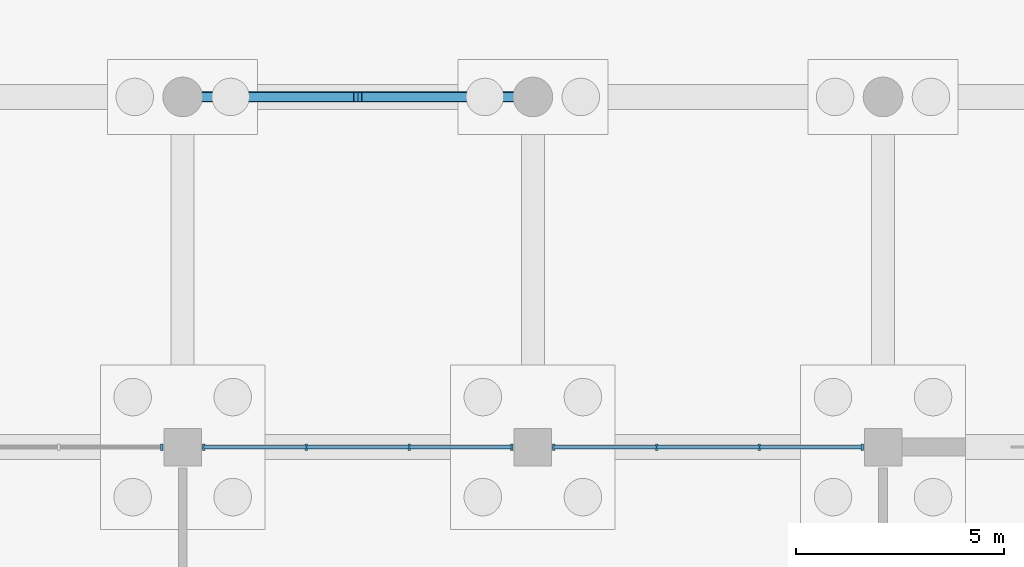
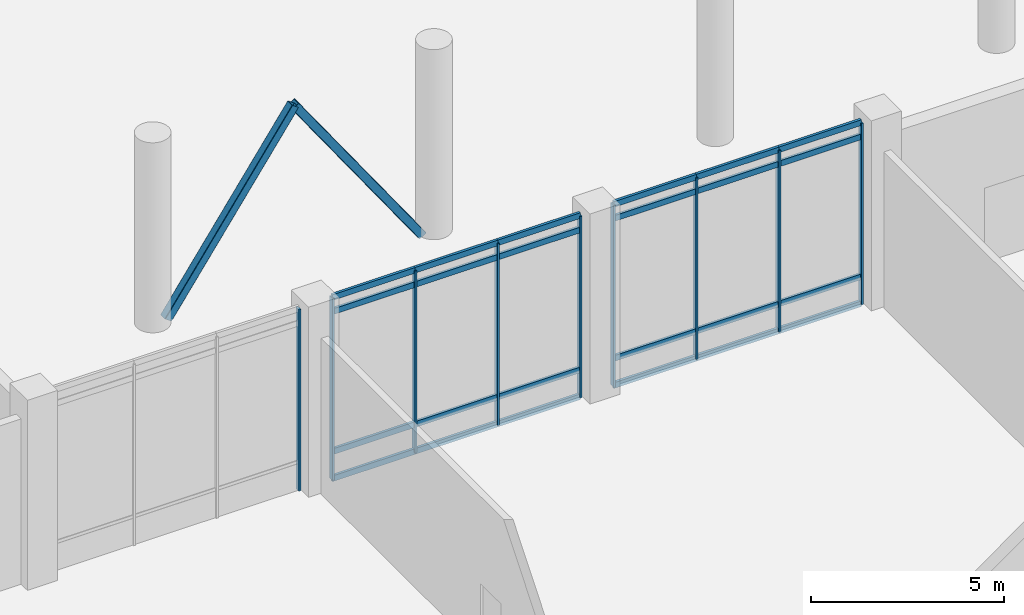
# One storey, part 22 of 72: 35 members, 3 elements without a shape of their own.
"""IFC4 building model written with IfcOpenShell, lengths in metres."""

from ifc_helpers import new_model, si_unit, direction, frame, origin, origin_2d, place, context, subcontext, project, spatial, rectangle, hollow_rectangle, extrude, material, layer, layer_set, material_profile, profile_set, type_object, element, aggregate, save


model = new_model("IFC4")

# Units and contexts
model_context = context("Model", 3, precision=1e-05, world=origin(), true_north=direction((0.0, 1.0)))
body_context = subcontext(model_context, "Body", "Model", "MODEL_VIEW")
ifc_project = project(units=[si_unit("LENGTHUNIT", "METRE"), si_unit("AREAUNIT", "SQUARE_METRE"), si_unit("VOLUMEUNIT", "CUBIC_METRE"), si_unit("PLANEANGLEUNIT", "RADIAN"), si_unit("MASSUNIT", "GRAM", prefix="KILO")], contexts=[model_context])

# Site, building, storey
site_placement = place(None, origin())
site = spatial("IfcSite", under=ifc_project, at=site_placement, CompositionType="ELEMENT")
building_placement = place(site_placement, origin())
building = spatial("IfcBuilding", under=site, at=building_placement, Name="Qawsi Khor Wholesale Market", CompositionType="ELEMENT")
storey_placement = place(building_placement, origin())
storey = spatial("IfcBuildingStorey", under=building, at=storey_placement, Name="L00", CompositionType="ELEMENT", Elevation=0.0)

# Curtain wall, member
ifc_material_1 = material(Name="Aluminium Anodised Bronze", Category="aluminium")
ifc_layer = layer(ifc_material_1, 0.169921875, Name="Aluminium Anodised Bronze")
ifc_layer_set = layer_set([ifc_layer], Name="Aluminium Anodised Bronze")
curtain_wall_type = type_object("IfcCurtainWallType", Name="Central Court Gallery Curtain Wall CW-05", PredefinedType="NOTDEFINED", material=ifc_layer_set)
curtain_wall_1_placement = place(storey_placement, origin())
curtain_wall_1 = element("IfcCurtainWall", 1, at=curtain_wall_1_placement, inside=storey, type_object=curtain_wall_type, Name="Curtain wall CW-CW-05-L00-054", PredefinedType="NOTDEFINED")
ifc_material_profile_1 = material_profile(ifc_material_1, rectangle(XDim=0.06005859375, YDim=0.159912109375, at=origin_2d()), Name="ALU MULLION 60x160")
ifc_profile_set_1 = profile_set([ifc_material_profile_1], Name="Aluminium Anodised Bronze")
member_type_1 = type_object("IfcMemberType", Name="Curtain Wall Mullion CW-05 ALU MULLION 60x160", PredefinedType="MULLION", material=ifc_profile_set_1)
member_1_placement = place(storey_placement, frame((83.5, 42.0, -0.02001953125), z_axis=(0.0, 0.0, 1.0), x_axis=(1.0, 0.0, 0.0)))
member_1 = element("IfcMember", 2, at=member_1_placement, type_object=member_type_1, Name="Mullion CW-CW-05-L00-054-M03", PredefinedType="MULLION", context=body_context, shape_type="SweptSolid", body=[
    extrude(rectangle(XDim=0.06005859375, YDim=0.159912109375, at=origin_2d()), origin(), (0.0, 0.0, 1.0), 5.739990234375),
])
aggregate(curtain_wall_1, [member_1])

# Curtain wall, members
curtain_wall_2_placement = place(storey_placement, origin())
curtain_wall_2 = element("IfcCurtainWall", 3, at=curtain_wall_2_placement, inside=storey, type_object=curtain_wall_type, Name="Curtain wall CW-CW-05-L00-055", PredefinedType="NOTDEFINED")
member_2_placement = place(storey_placement, frame((84.5, 42.0, -0.02001953125), z_axis=(0.0, 0.0, 1.0), x_axis=(1.0, 0.0, 0.0)))
member_2 = element("IfcMember", 4, at=member_2_placement, type_object=member_type_1, Name="Mullion CW-CW-05-L00-055-M00", PredefinedType="MULLION", context=body_context, shape_type="SweptSolid", body=[
    extrude(rectangle(XDim=0.06005859375, YDim=0.159912109375, at=origin_2d()), origin(), (0.0, 0.0, 1.0), 5.739990234375),
])
member_3_placement = place(storey_placement, frame((86.966796875, 42.0, -0.02001953125), z_axis=(0.0, 0.0, 1.0), x_axis=(1.0, 0.0, 0.0)))
member_3 = element("IfcMember", 5, at=member_3_placement, type_object=member_type_1, Name="Mullion CW-CW-05-L00-055-M01", PredefinedType="MULLION", context=body_context, shape_type="SweptSolid", body=[
    extrude(rectangle(XDim=0.06005859375, YDim=0.159912109375, at=origin_2d()), origin(), (0.0, 0.0, 1.0), 5.739990234375),
])
member_4_placement = place(storey_placement, frame((89.433349609375, 42.0, -0.02001953125), z_axis=(0.0, 0.0, 1.0), x_axis=(1.0, 0.0, 0.0)))
member_4 = element("IfcMember", 6, at=member_4_placement, type_object=member_type_1, Name="Mullion CW-CW-05-L00-055-M02", PredefinedType="MULLION", context=body_context, shape_type="SweptSolid", body=[
    extrude(rectangle(XDim=0.06005859375, YDim=0.159912109375, at=origin_2d()), origin(), (0.0, 0.0, 1.0), 5.739990234375),
])
member_5_placement = place(storey_placement, frame((91.89990234375, 42.0, -0.02001953125), z_axis=(0.0, 0.0, 1.0), x_axis=(1.0, 0.0, 0.0)))
member_5 = element("IfcMember", 7, at=member_5_placement, type_object=member_type_1, Name="Mullion CW-CW-05-L00-055-M03", PredefinedType="MULLION", context=body_context, shape_type="SweptSolid", body=[
    extrude(rectangle(XDim=0.06005859375, YDim=0.159912109375, at=origin_2d()), origin(), (0.0, 0.0, 1.0), 5.739990234375),
])

curtain_wall_3_placement = place(storey_placement, origin())
curtain_wall_3 = element("IfcCurtainWall", 8, at=curtain_wall_3_placement, inside=storey, type_object=curtain_wall_type, Name="Curtain wall CW-CW-05-L00-056", PredefinedType="NOTDEFINED")
member_6_placement = place(storey_placement, frame((92.89990234375, 42.0, -0.02001953125), z_axis=(0.0, 0.0, 1.0), x_axis=(1.0, 0.0, 0.0)))
member_6 = element("IfcMember", 9, at=member_6_placement, type_object=member_type_1, Name="Mullion CW-CW-05-L00-056-M00", PredefinedType="MULLION", context=body_context, shape_type="SweptSolid", body=[
    extrude(rectangle(XDim=0.06005859375, YDim=0.159912109375, at=origin_2d()), origin(), (0.0, 0.0, 1.0), 5.739990234375),
])
member_7_placement = place(storey_placement, frame((95.36669921875, 42.0, -0.02001953125), z_axis=(0.0, 0.0, 1.0), x_axis=(1.0, 0.0, 0.0)))
member_7 = element("IfcMember", 10, at=member_7_placement, type_object=member_type_1, Name="Mullion CW-CW-05-L00-056-M01", PredefinedType="MULLION", context=body_context, shape_type="SweptSolid", body=[
    extrude(rectangle(XDim=0.06005859375, YDim=0.159912109375, at=origin_2d()), origin(), (0.0, 0.0, 1.0), 5.739990234375),
])
member_8_placement = place(storey_placement, frame((97.833251953125, 42.0, -0.02001953125), z_axis=(0.0, 0.0, 1.0), x_axis=(1.0, 0.0, 0.0)))
member_8 = element("IfcMember", 11, at=member_8_placement, type_object=member_type_1, Name="Mullion CW-CW-05-L00-056-M02", PredefinedType="MULLION", context=body_context, shape_type="SweptSolid", body=[
    extrude(rectangle(XDim=0.06005859375, YDim=0.159912109375, at=origin_2d()), origin(), (0.0, 0.0, 1.0), 5.739990234375),
])
member_9_placement = place(storey_placement, frame((100.300048828125, 42.0, -0.02001953125), z_axis=(0.0, 0.0, 1.0), x_axis=(1.0, 0.0, 0.0)))
member_9 = element("IfcMember", 12, at=member_9_placement, type_object=member_type_1, Name="Mullion CW-CW-05-L00-056-M03", PredefinedType="MULLION", context=body_context, shape_type="SweptSolid", body=[
    extrude(rectangle(XDim=0.06005859375, YDim=0.159912109375, at=origin_2d()), origin(), (0.0, 0.0, 1.0), 5.739990234375),
])

# Member
ifc_material_profile_2 = material_profile(ifc_material_1, rectangle(XDim=0.080078125, YDim=0.179931640625, at=origin_2d()), Name="ALU TRANSOM 80x180")
ifc_profile_set_2 = profile_set([ifc_material_profile_2], Name="Aluminium Anodised Bronze")
member_type_2 = type_object("IfcMemberType", Name="Curtain Wall Transom CW-05 ALU TRANSOM 80x180", PredefinedType="USERDEFINED", material=ifc_profile_set_2)
member_10_placement = place(storey_placement, frame((84.5, 42.0, 0.0), z_axis=(1.0, 0.0, 0.0), x_axis=(0.0, 1.0, 0.0)))
member_10 = element("IfcMember", 13, at=member_10_placement, type_object=member_type_2, Name="Transom CW-CW-05-L00-055-T0_00", ObjectType="TRANSOM", PredefinedType="USERDEFINED", context=body_context, shape_type="SweptSolid", body=[
    extrude(rectangle(XDim=0.080078125, YDim=0.179931640625, at=origin_2d()), origin(), (0.0, 0.0, 1.0), 2.466796875),
])

member_11_placement = place(storey_placement, frame((86.966796875, 42.0, 0.0), z_axis=(1.0, 0.0, 0.0), x_axis=(0.0, 1.0, 0.0)))
member_11 = element("IfcMember", 14, at=member_11_placement, type_object=member_type_2, Name="Transom CW-CW-05-L00-055-T0_01", ObjectType="TRANSOM", PredefinedType="USERDEFINED", context=body_context, shape_type="SweptSolid", body=[
    extrude(rectangle(XDim=0.080078125, YDim=0.179931640625, at=origin_2d()), origin(), (0.0, 0.0, 1.0), 2.466552734375),
])

member_12_placement = place(storey_placement, frame((89.433349609375, 42.0, 0.0), z_axis=(1.0, 0.0, 0.0), x_axis=(0.0, 1.0, 0.0)))
member_12 = element("IfcMember", 15, at=member_12_placement, type_object=member_type_2, Name="Transom CW-CW-05-L00-055-T0_02", ObjectType="TRANSOM", PredefinedType="USERDEFINED", context=body_context, shape_type="SweptSolid", body=[
    extrude(rectangle(XDim=0.080078125, YDim=0.179931640625, at=origin_2d()), origin(), (0.0, 0.0, 1.0), 2.466552734375),
])

member_13_placement = place(storey_placement, frame((84.5, 42.0, 0.85009765625), z_axis=(1.0, 0.0, 0.0), x_axis=(0.0, 1.0, 0.0)))
member_13 = element("IfcMember", 16, at=member_13_placement, type_object=member_type_2, Name="Transom CW-CW-05-L00-055-T1_00", ObjectType="TRANSOM", PredefinedType="USERDEFINED", context=body_context, shape_type="SweptSolid", body=[
    extrude(rectangle(XDim=0.080078125, YDim=0.179931640625, at=origin_2d()), origin(), (0.0, 0.0, 1.0), 2.466796875),
])

member_14_placement = place(storey_placement, frame((86.966796875, 42.0, 0.85009765625), z_axis=(1.0, 0.0, 0.0), x_axis=(0.0, 1.0, 0.0)))
member_14 = element("IfcMember", 17, at=member_14_placement, type_object=member_type_2, Name="Transom CW-CW-05-L00-055-T1_01", ObjectType="TRANSOM", PredefinedType="USERDEFINED", context=body_context, shape_type="SweptSolid", body=[
    extrude(rectangle(XDim=0.080078125, YDim=0.179931640625, at=origin_2d()), origin(), (0.0, 0.0, 1.0), 2.466552734375),
])

member_15_placement = place(storey_placement, frame((89.433349609375, 42.0, 0.85009765625), z_axis=(1.0, 0.0, 0.0), x_axis=(0.0, 1.0, 0.0)))
member_15 = element("IfcMember", 18, at=member_15_placement, type_object=member_type_2, Name="Transom CW-CW-05-L00-055-T1_02", ObjectType="TRANSOM", PredefinedType="USERDEFINED", context=body_context, shape_type="SweptSolid", body=[
    extrude(rectangle(XDim=0.080078125, YDim=0.179931640625, at=origin_2d()), origin(), (0.0, 0.0, 1.0), 2.466552734375),
])

member_16_placement = place(storey_placement, frame((84.5, 42.0, 5.27001953125), z_axis=(1.0, 0.0, 0.0), x_axis=(0.0, 1.0, 0.0)))
member_16 = element("IfcMember", 19, at=member_16_placement, type_object=member_type_2, Name="Transom CW-CW-05-L00-055-T2_00", ObjectType="TRANSOM", PredefinedType="USERDEFINED", context=body_context, shape_type="SweptSolid", body=[
    extrude(rectangle(XDim=0.080078125, YDim=0.179931640625, at=origin_2d()), origin(), (0.0, 0.0, 1.0), 2.466796875),
])

member_17_placement = place(storey_placement, frame((86.966796875, 42.0, 5.27001953125), z_axis=(1.0, 0.0, 0.0), x_axis=(0.0, 1.0, 0.0)))
member_17 = element("IfcMember", 20, at=member_17_placement, type_object=member_type_2, Name="Transom CW-CW-05-L00-055-T2_01", ObjectType="TRANSOM", PredefinedType="USERDEFINED", context=body_context, shape_type="SweptSolid", body=[
    extrude(rectangle(XDim=0.080078125, YDim=0.179931640625, at=origin_2d()), origin(), (0.0, 0.0, 1.0), 2.466552734375),
])

member_18_placement = place(storey_placement, frame((89.433349609375, 42.0, 5.27001953125), z_axis=(1.0, 0.0, 0.0), x_axis=(0.0, 1.0, 0.0)))
member_18 = element("IfcMember", 21, at=member_18_placement, type_object=member_type_2, Name="Transom CW-CW-05-L00-055-T2_02", ObjectType="TRANSOM", PredefinedType="USERDEFINED", context=body_context, shape_type="SweptSolid", body=[
    extrude(rectangle(XDim=0.080078125, YDim=0.179931640625, at=origin_2d()), origin(), (0.0, 0.0, 1.0), 2.466552734375),
])

member_19_placement = place(storey_placement, frame((84.5, 42.0, 5.719970703125), z_axis=(1.0, 0.0, 0.0), x_axis=(0.0, 1.0, 0.0)))
member_19 = element("IfcMember", 22, at=member_19_placement, type_object=member_type_2, Name="Transom CW-CW-05-L00-055-T3_00", ObjectType="TRANSOM", PredefinedType="USERDEFINED", context=body_context, shape_type="SweptSolid", body=[
    extrude(rectangle(XDim=0.080078125, YDim=0.179931640625, at=origin_2d()), origin(), (0.0, 0.0, 1.0), 2.466796875),
])

member_20_placement = place(storey_placement, frame((86.966796875, 42.0, 5.719970703125), z_axis=(1.0, 0.0, 0.0), x_axis=(0.0, 1.0, 0.0)))
member_20 = element("IfcMember", 23, at=member_20_placement, type_object=member_type_2, Name="Transom CW-CW-05-L00-055-T3_01", ObjectType="TRANSOM", PredefinedType="USERDEFINED", context=body_context, shape_type="SweptSolid", body=[
    extrude(rectangle(XDim=0.080078125, YDim=0.179931640625, at=origin_2d()), origin(), (0.0, 0.0, 1.0), 2.466552734375),
])

member_21_placement = place(storey_placement, frame((89.433349609375, 42.0, 5.719970703125), z_axis=(1.0, 0.0, 0.0), x_axis=(0.0, 1.0, 0.0)))
member_21 = element("IfcMember", 24, at=member_21_placement, type_object=member_type_2, Name="Transom CW-CW-05-L00-055-T3_02", ObjectType="TRANSOM", PredefinedType="USERDEFINED", context=body_context, shape_type="SweptSolid", body=[
    extrude(rectangle(XDim=0.080078125, YDim=0.179931640625, at=origin_2d()), origin(), (0.0, 0.0, 1.0), 2.466552734375),
])

aggregate(curtain_wall_2, [member_2, member_3, member_4, member_5, member_10, member_11, member_12, member_13, member_14, member_15, member_16, member_17, member_18, member_19, member_20, member_21])

member_22_placement = place(storey_placement, frame((92.89990234375, 42.0, 0.0), z_axis=(1.0, 0.0, 0.0), x_axis=(0.0, 1.0, 0.0)))
member_22 = element("IfcMember", 25, at=member_22_placement, type_object=member_type_2, Name="Transom CW-CW-05-L00-056-T0_00", ObjectType="TRANSOM", PredefinedType="USERDEFINED", context=body_context, shape_type="SweptSolid", body=[
    extrude(rectangle(XDim=0.080078125, YDim=0.179931640625, at=origin_2d()), origin(), (0.0, 0.0, 1.0), 2.466796875),
])

member_23_placement = place(storey_placement, frame((95.36669921875, 42.0, 0.0), z_axis=(1.0, 0.0, 0.0), x_axis=(0.0, 1.0, 0.0)))
member_23 = element("IfcMember", 26, at=member_23_placement, type_object=member_type_2, Name="Transom CW-CW-05-L00-056-T0_01", ObjectType="TRANSOM", PredefinedType="USERDEFINED", context=body_context, shape_type="SweptSolid", body=[
    extrude(rectangle(XDim=0.080078125, YDim=0.179931640625, at=origin_2d()), origin(), (0.0, 0.0, 1.0), 2.466552734375),
])

member_24_placement = place(storey_placement, frame((97.833251953125, 42.0, 0.0), z_axis=(1.0, 0.0, 0.0), x_axis=(0.0, 1.0, 0.0)))
member_24 = element("IfcMember", 27, at=member_24_placement, type_object=member_type_2, Name="Transom CW-CW-05-L00-056-T0_02", ObjectType="TRANSOM", PredefinedType="USERDEFINED", context=body_context, shape_type="SweptSolid", body=[
    extrude(rectangle(XDim=0.080078125, YDim=0.179931640625, at=origin_2d()), origin(), (0.0, 0.0, 1.0), 2.466796875),
])

member_25_placement = place(storey_placement, frame((92.89990234375, 42.0, 0.85009765625), z_axis=(1.0, 0.0, 0.0), x_axis=(0.0, 1.0, 0.0)))
member_25 = element("IfcMember", 28, at=member_25_placement, type_object=member_type_2, Name="Transom CW-CW-05-L00-056-T1_00", ObjectType="TRANSOM", PredefinedType="USERDEFINED", context=body_context, shape_type="SweptSolid", body=[
    extrude(rectangle(XDim=0.080078125, YDim=0.179931640625, at=origin_2d()), origin(), (0.0, 0.0, 1.0), 2.466796875),
])

member_26_placement = place(storey_placement, frame((95.36669921875, 42.0, 0.85009765625), z_axis=(1.0, 0.0, 0.0), x_axis=(0.0, 1.0, 0.0)))
member_26 = element("IfcMember", 29, at=member_26_placement, type_object=member_type_2, Name="Transom CW-CW-05-L00-056-T1_01", ObjectType="TRANSOM", PredefinedType="USERDEFINED", context=body_context, shape_type="SweptSolid", body=[
    extrude(rectangle(XDim=0.080078125, YDim=0.179931640625, at=origin_2d()), origin(), (0.0, 0.0, 1.0), 2.466552734375),
])

member_27_placement = place(storey_placement, frame((97.833251953125, 42.0, 0.85009765625), z_axis=(1.0, 0.0, 0.0), x_axis=(0.0, 1.0, 0.0)))
member_27 = element("IfcMember", 30, at=member_27_placement, type_object=member_type_2, Name="Transom CW-CW-05-L00-056-T1_02", ObjectType="TRANSOM", PredefinedType="USERDEFINED", context=body_context, shape_type="SweptSolid", body=[
    extrude(rectangle(XDim=0.080078125, YDim=0.179931640625, at=origin_2d()), origin(), (0.0, 0.0, 1.0), 2.466796875),
])

member_28_placement = place(storey_placement, frame((92.89990234375, 42.0, 5.27001953125), z_axis=(1.0, 0.0, 0.0), x_axis=(0.0, 1.0, 0.0)))
member_28 = element("IfcMember", 31, at=member_28_placement, type_object=member_type_2, Name="Transom CW-CW-05-L00-056-T2_00", ObjectType="TRANSOM", PredefinedType="USERDEFINED", context=body_context, shape_type="SweptSolid", body=[
    extrude(rectangle(XDim=0.080078125, YDim=0.179931640625, at=origin_2d()), origin(), (0.0, 0.0, 1.0), 2.466796875),
])

member_29_placement = place(storey_placement, frame((95.36669921875, 42.0, 5.27001953125), z_axis=(1.0, 0.0, 0.0), x_axis=(0.0, 1.0, 0.0)))
member_29 = element("IfcMember", 32, at=member_29_placement, type_object=member_type_2, Name="Transom CW-CW-05-L00-056-T2_01", ObjectType="TRANSOM", PredefinedType="USERDEFINED", context=body_context, shape_type="SweptSolid", body=[
    extrude(rectangle(XDim=0.080078125, YDim=0.179931640625, at=origin_2d()), origin(), (0.0, 0.0, 1.0), 2.466552734375),
])

member_30_placement = place(storey_placement, frame((97.833251953125, 42.0, 5.27001953125), z_axis=(1.0, 0.0, 0.0), x_axis=(0.0, 1.0, 0.0)))
member_30 = element("IfcMember", 33, at=member_30_placement, type_object=member_type_2, Name="Transom CW-CW-05-L00-056-T2_02", ObjectType="TRANSOM", PredefinedType="USERDEFINED", context=body_context, shape_type="SweptSolid", body=[
    extrude(rectangle(XDim=0.080078125, YDim=0.179931640625, at=origin_2d()), origin(), (0.0, 0.0, 1.0), 2.466796875),
])

member_31_placement = place(storey_placement, frame((92.89990234375, 42.0, 5.719970703125), z_axis=(1.0, 0.0, 0.0), x_axis=(0.0, 1.0, 0.0)))
member_31 = element("IfcMember", 34, at=member_31_placement, type_object=member_type_2, Name="Transom CW-CW-05-L00-056-T3_00", ObjectType="TRANSOM", PredefinedType="USERDEFINED", context=body_context, shape_type="SweptSolid", body=[
    extrude(rectangle(XDim=0.080078125, YDim=0.179931640625, at=origin_2d()), origin(), (0.0, 0.0, 1.0), 2.466796875),
])

member_32_placement = place(storey_placement, frame((95.36669921875, 42.0, 5.719970703125), z_axis=(1.0, 0.0, 0.0), x_axis=(0.0, 1.0, 0.0)))
member_32 = element("IfcMember", 35, at=member_32_placement, type_object=member_type_2, Name="Transom CW-CW-05-L00-056-T3_01", ObjectType="TRANSOM", PredefinedType="USERDEFINED", context=body_context, shape_type="SweptSolid", body=[
    extrude(rectangle(XDim=0.080078125, YDim=0.179931640625, at=origin_2d()), origin(), (0.0, 0.0, 1.0), 2.466552734375),
])

member_33_placement = place(storey_placement, frame((97.833251953125, 42.0, 5.719970703125), z_axis=(1.0, 0.0, 0.0), x_axis=(0.0, 1.0, 0.0)))
member_33 = element("IfcMember", 36, at=member_33_placement, type_object=member_type_2, Name="Transom CW-CW-05-L00-056-T3_02", ObjectType="TRANSOM", PredefinedType="USERDEFINED", context=body_context, shape_type="SweptSolid", body=[
    extrude(rectangle(XDim=0.080078125, YDim=0.179931640625, at=origin_2d()), origin(), (0.0, 0.0, 1.0), 2.466796875),
])

aggregate(curtain_wall_3, [member_6, member_7, member_8, member_9, member_22, member_23, member_24, member_25, member_26, member_27, member_28, member_29, member_30, member_31, member_32, member_33])

# Members
ifc_material_2 = material(Name="Steel S355", Category="steel")
ifc_material_profile_3 = material_profile(ifc_material_2, hollow_rectangle(XDim=0.25, YDim=0.25, WallThickness=0.012451171875, InnerFilletRadius=0.012451171875, OuterFilletRadius=0.02490234375, at=origin_2d()), Name="SHS 250x250x12.5")
ifc_profile_set_3 = profile_set([ifc_material_profile_3], Name="Steel S355")
member_type_3 = type_object("IfcMemberType", Name="Lateral Portal Brace SHS 250x250x12.5", PredefinedType="BRACE", material=ifc_profile_set_3)
for number, where, z_axis, x_axis, name in (
    (37, (84.39990234375, 50.39990234375, 0.0), (0.574081019933, 0.0, 0.818798499359), (0.0, 1.0, 0.0), "Portal K-brace 3A"),
    (38, (92.0, 50.39990234375, 0.0), (-0.574081019933, 0.0, 0.818798499359), (0.0, -1.0, 0.0), "Portal K-brace 3B"),
):
    element("IfcMember", number, at=place(storey_placement, frame(where, z_axis=z_axis, x_axis=x_axis)), inside=storey, type_object=member_type_3, Name=name, PredefinedType="BRACE", context=body_context, shape_type="SweptSolid", body=[
        extrude(hollow_rectangle(XDim=0.25, YDim=0.25, WallThickness=0.012451171875, InnerFilletRadius=0.012451171875, OuterFilletRadius=0.02490234375, at=origin_2d()), origin(), (0.0, 0.0, 1.0), 6.619384765625),
    ])

save(model, "model.ifc")
